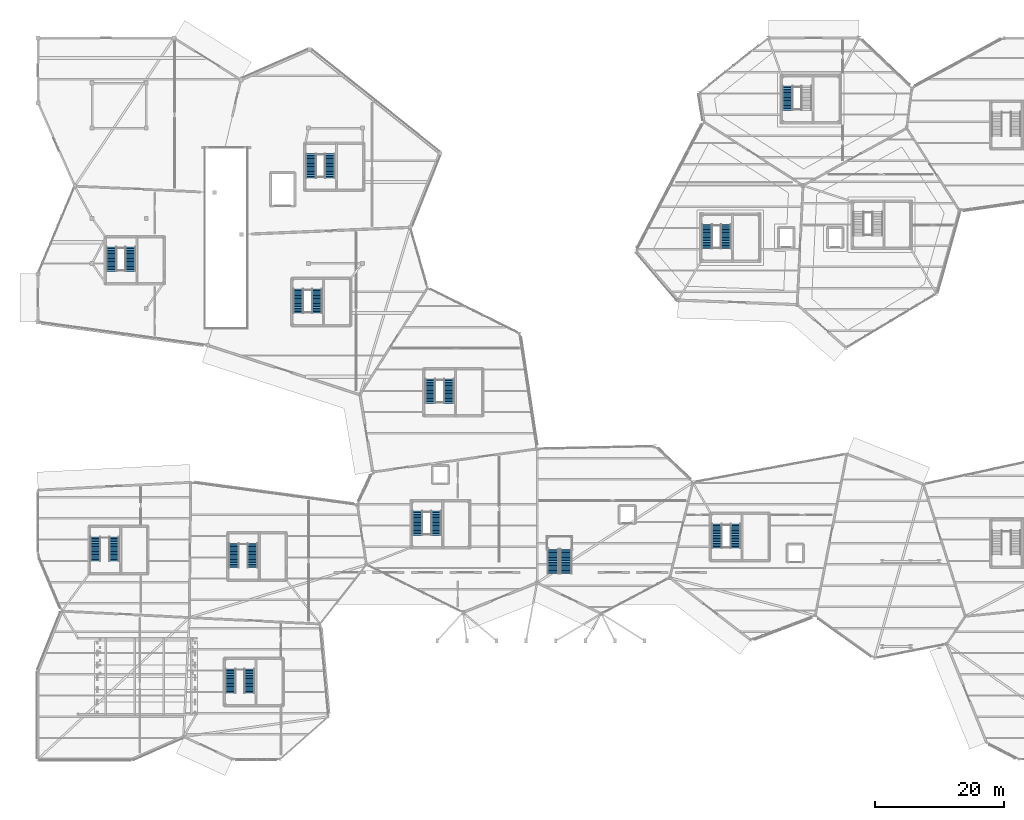
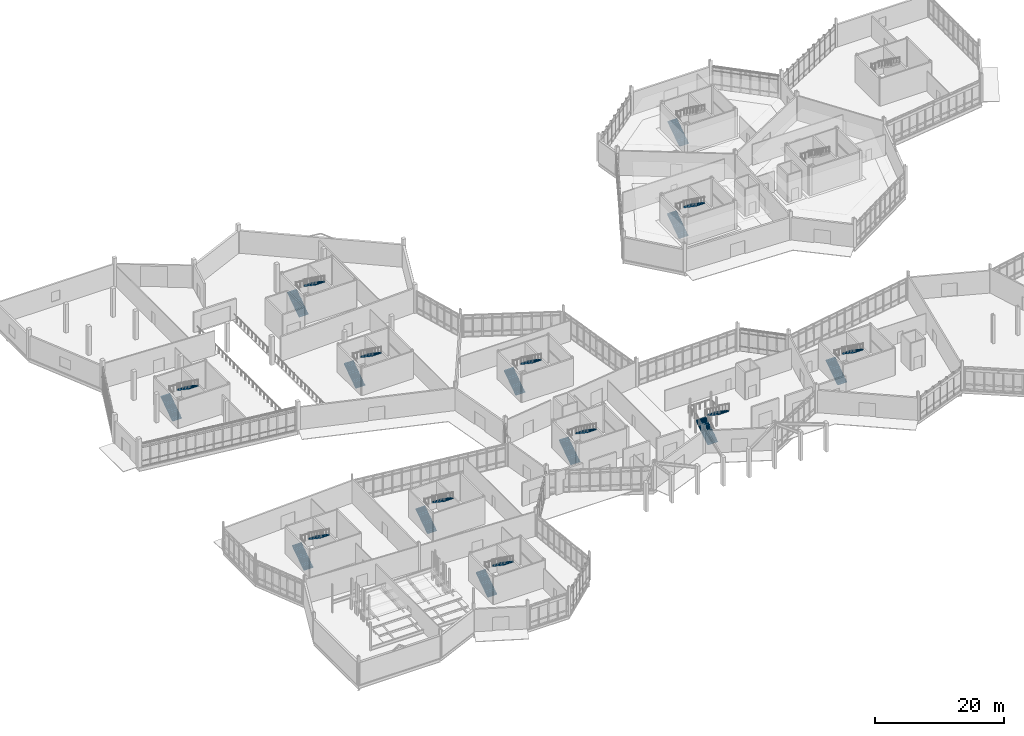
# One storey, part 101 of 113: 23 stair flights, 12 elements without a shape of their own.
"""IFC4 building model written with IfcOpenShell, lengths in metres."""

from ifc_helpers import new_model, si_unit, direction, frame, origin, place, context, subcontext, project, spatial, polyline, outline, extrude, material, type_object, element, aggregate, save


model = new_model("IFC4")

# Units and contexts
model_context = context("Model", 3, precision=1e-05, world=origin(), true_north=direction((0.0, 1.0)))
body_context = subcontext(model_context, "Body", "Model", "MODEL_VIEW")
ifc_project = project(units=[si_unit("LENGTHUNIT", "METRE"), si_unit("AREAUNIT", "SQUARE_METRE"), si_unit("VOLUMEUNIT", "CUBIC_METRE"), si_unit("PLANEANGLEUNIT", "RADIAN"), si_unit("MASSUNIT", "GRAM", prefix="KILO")], contexts=[model_context])

# Site, building, storey
site_placement = place(None, origin())
site = spatial("IfcSite", under=ifc_project, at=site_placement, CompositionType="ELEMENT")
building_placement = place(site_placement, origin())
building = spatial("IfcBuilding", under=site, at=building_placement, Name="Tameran Prism Museum", CompositionType="ELEMENT")
storey_placement = place(building_placement, origin())
storey = spatial("IfcBuildingStorey", under=building, at=storey_placement, Name="L00", CompositionType="ELEMENT", Elevation=0.0)

# Stair, stair flights
ifc_material_1 = material(Name="Concrete N40 (40 MPa)", Category="concrete")
stair_type_1 = type_object("IfcStairType", Name="ST-CORE-54", PredefinedType="HALF_TURN_STAIR", material=ifc_material_1)
stair_1_placement = place(storey_placement, origin())
stair_1 = element("IfcStair", 1, at=stair_1_placement, inside=storey, type_object=stair_type_1, Name="Fire-Isolated Stair ST-01-L00", PredefinedType="HALF_TURN_STAIR")
ifc_material_2 = material(Name="Concrete N40 (40 MPa)", Category="concrete")
stair_flight_type_1 = type_object("IfcStairFlightType", Name="SF-RC-165", PredefinedType="STRAIGHT", material=ifc_material_2)
stair_flight_1_placement = place(storey_placement, frame((103.9150390625, 79.280029296875, 0.0), z_axis=(0.0, 0.0, 1.0), x_axis=(0.0, 1.0, 0.0)))
stair_flight_1 = element("IfcStairFlight", 2, at=stair_flight_1_placement, type_object=stair_flight_type_1, Name="ST-01-L00 flight 1", NumberOfRisers=16, NumberOfTreads=15, PredefinedType="STRAIGHT", RiserHeight=0.16875, TreadLength=0.25, context=body_context, shape_type="SweptSolid", body=[
    extrude(outline(polyline([(0.0, 0.0), (0.0, 0.168701171875), (0.25, 0.168701171875), (0.25, 0.33740234375), (0.5, 0.33740234375), (0.5, 0.50634765625), (0.75, 0.50634765625), (0.75, 0.675048828125), (1.0, 0.675048828125), (1.0, 0.84375), (1.25, 0.84375), (1.25, 1.012451171875), (1.5, 1.012451171875), (1.5, 1.18115234375), (1.75, 1.18115234375), (1.75, 1.35009765625), (2.0, 1.35009765625), (2.0, 1.518798828125), (2.25, 1.518798828125), (2.25, 1.6875), (2.5, 1.6875), (2.5, 1.856201171875), (2.75, 1.856201171875), (2.75, 2.02490234375), (3.0, 2.02490234375), (3.0, 2.19384765625), (3.25, 2.19384765625), (3.25, 2.362548828125), (3.5, 2.362548828125), (3.5, 2.53125), (3.75, 2.53125), (3.75, 2.699951171875), (3.75, 2.350341796875), (0.267822265625, 0.0), (0.0, 0.0)])), frame((0.0, 0.824951171875, 0.0), z_axis=(0.0, -1.0, 0.0), x_axis=(1.0, 0.0, 0.0)), (0.0, 0.0, 1.0), 1.64990234375),
])
stair_flight_2_placement = place(storey_placement, frame((106.8349609375, 83.030029296875, 2.699951171875), z_axis=(0.0, 0.0, 1.0), x_axis=(0.0, -1.0, 0.0)))
stair_flight_2 = element("IfcStairFlight", 3, at=stair_flight_2_placement, type_object=stair_flight_type_1, Name="ST-01-L00 flight 2", NumberOfRisers=16, NumberOfTreads=15, PredefinedType="STRAIGHT", RiserHeight=0.16875, TreadLength=0.25, context=body_context, shape_type="SweptSolid", body=[
    extrude(outline(polyline([(0.0, 0.0), (0.0, 0.168701171875), (0.25, 0.168701171875), (0.25, 0.33740234375), (0.5, 0.33740234375), (0.5, 0.50634765625), (0.75, 0.50634765625), (0.75, 0.675048828125), (1.0, 0.675048828125), (1.0, 0.84375), (1.25, 0.84375), (1.25, 1.012451171875), (1.5, 1.012451171875), (1.5, 1.18115234375), (1.75, 1.18115234375), (1.75, 1.35009765625), (2.0, 1.35009765625), (2.0, 1.518798828125), (2.25, 1.518798828125), (2.25, 1.6875), (2.5, 1.6875), (2.5, 1.856201171875), (2.75, 1.856201171875), (2.75, 2.02490234375), (3.0, 2.02490234375), (3.0, 2.19384765625), (3.25, 2.19384765625), (3.25, 2.362548828125), (3.5, 2.362548828125), (3.5, 2.53125), (3.75, 2.53125), (3.75, 2.699951171875), (3.75, 2.350341796875), (0.267822265625, 0.0), (0.0, 0.0)])), frame((0.0, 0.824951171875, 0.0), z_axis=(0.0, -1.0, 0.0), x_axis=(1.0, 0.0, 0.0)), (0.0, 0.0, 1.0), 1.64990234375),
])
aggregate(stair_1, [stair_flight_1, stair_flight_2])

# Stair, stair flight
stair_2_placement = place(storey_placement, origin())
stair_2 = element("IfcStair", 4, at=stair_2_placement, inside=storey, type_object=stair_type_1, Name="Fire-Isolated Stair ST-07-L00", PredefinedType="HALF_TURN_STAIR")
stair_flight_3_placement = place(storey_placement, frame((116.4150390625, 100.780029296875, 0.0), z_axis=(0.0, 0.0, 1.0), x_axis=(0.0, 1.0, 0.0)))
stair_flight_3 = element("IfcStairFlight", 5, at=stair_flight_3_placement, type_object=stair_flight_type_1, Name="ST-07-L00 flight 1", NumberOfRisers=16, NumberOfTreads=15, PredefinedType="STRAIGHT", RiserHeight=0.16875, TreadLength=0.25, context=body_context, shape_type="SweptSolid", body=[
    extrude(outline(polyline([(0.0, 0.0), (0.0, 0.168701171875), (0.25, 0.168701171875), (0.25, 0.33740234375), (0.5, 0.33740234375), (0.5, 0.50634765625), (0.75, 0.50634765625), (0.75, 0.675048828125), (1.0, 0.675048828125), (1.0, 0.84375), (1.25, 0.84375), (1.25, 1.012451171875), (1.5, 1.012451171875), (1.5, 1.18115234375), (1.75, 1.18115234375), (1.75, 1.35009765625), (2.0, 1.35009765625), (2.0, 1.518798828125), (2.25, 1.518798828125), (2.25, 1.6875), (2.5, 1.6875), (2.5, 1.856201171875), (2.75, 1.856201171875), (2.75, 2.02490234375), (3.0, 2.02490234375), (3.0, 2.19384765625), (3.25, 2.19384765625), (3.25, 2.362548828125), (3.5, 2.362548828125), (3.5, 2.53125), (3.75, 2.53125), (3.75, 2.699951171875), (3.75, 2.350341796875), (0.267822265625, 0.0), (0.0, 0.0)])), frame((0.0, 0.824951171875, 0.0), z_axis=(0.0, -1.0, 0.0), x_axis=(1.0, 0.0, 0.0)), (0.0, 0.0, 1.0), 1.64990234375),
])
aggregate(stair_2, [stair_flight_3])

# Stair, stair flights
stair_3_placement = place(storey_placement, origin())
stair_3 = element("IfcStair", 6, at=stair_3_placement, inside=storey, type_object=stair_type_1, Name="Fire-Isolated Stair ST-03-L00", PredefinedType="HALF_TURN_STAIR")
stair_flight_4_placement = place(storey_placement, frame((58.9150390625, 34.780029296875, 0.0), z_axis=(0.0, 0.0, 1.0), x_axis=(0.0, 1.0, 0.0)))
stair_flight_4 = element("IfcStairFlight", 7, at=stair_flight_4_placement, type_object=stair_flight_type_1, Name="ST-03-L00 flight 1", NumberOfRisers=16, NumberOfTreads=15, PredefinedType="STRAIGHT", RiserHeight=0.16875, TreadLength=0.25, context=body_context, shape_type="SweptSolid", body=[
    extrude(outline(polyline([(0.0, 0.0), (0.0, 0.168701171875), (0.25, 0.168701171875), (0.25, 0.33740234375), (0.5, 0.33740234375), (0.5, 0.50634765625), (0.75, 0.50634765625), (0.75, 0.675048828125), (1.0, 0.675048828125), (1.0, 0.84375), (1.25, 0.84375), (1.25, 1.012451171875), (1.5, 1.012451171875), (1.5, 1.18115234375), (1.75, 1.18115234375), (1.75, 1.35009765625), (2.0, 1.35009765625), (2.0, 1.518798828125), (2.25, 1.518798828125), (2.25, 1.6875), (2.5, 1.6875), (2.5, 1.856201171875), (2.75, 1.856201171875), (2.75, 2.02490234375), (3.0, 2.02490234375), (3.0, 2.19384765625), (3.25, 2.19384765625), (3.25, 2.362548828125), (3.5, 2.362548828125), (3.5, 2.53125), (3.75, 2.53125), (3.75, 2.699951171875), (3.75, 2.350341796875), (0.267822265625, 0.0), (0.0, 0.0)])), frame((0.0, 0.824951171875, 0.0), z_axis=(0.0, -1.0, 0.0), x_axis=(1.0, 0.0, 0.0)), (0.0, 0.0, 1.0), 1.64990234375),
])
stair_flight_5_placement = place(storey_placement, frame((61.8349609375, 38.530029296875, 2.699951171875), z_axis=(0.0, 0.0, 1.0), x_axis=(0.0, -1.0, 0.0)))
stair_flight_5 = element("IfcStairFlight", 8, at=stair_flight_5_placement, type_object=stair_flight_type_1, Name="ST-03-L00 flight 2", NumberOfRisers=16, NumberOfTreads=15, PredefinedType="STRAIGHT", RiserHeight=0.16875, TreadLength=0.25, context=body_context, shape_type="SweptSolid", body=[
    extrude(outline(polyline([(0.0, 0.0), (0.0, 0.168701171875), (0.25, 0.168701171875), (0.25, 0.33740234375), (0.5, 0.33740234375), (0.5, 0.50634765625), (0.75, 0.50634765625), (0.75, 0.675048828125), (1.0, 0.675048828125), (1.0, 0.84375), (1.25, 0.84375), (1.25, 1.012451171875), (1.5, 1.012451171875), (1.5, 1.18115234375), (1.75, 1.18115234375), (1.75, 1.35009765625), (2.0, 1.35009765625), (2.0, 1.518798828125), (2.25, 1.518798828125), (2.25, 1.6875), (2.5, 1.6875), (2.5, 1.856201171875), (2.75, 1.856201171875), (2.75, 2.02490234375), (3.0, 2.02490234375), (3.0, 2.19384765625), (3.25, 2.19384765625), (3.25, 2.362548828125), (3.5, 2.362548828125), (3.5, 2.53125), (3.75, 2.53125), (3.75, 2.699951171875), (3.75, 2.350341796875), (0.267822265625, 0.0), (0.0, 0.0)])), frame((0.0, 0.824951171875, 0.0), z_axis=(0.0, -1.0, 0.0), x_axis=(1.0, 0.0, 0.0)), (0.0, 0.0, 1.0), 1.64990234375),
])
aggregate(stair_3, [stair_flight_4, stair_flight_5])

stair_4_placement = place(storey_placement, origin())
stair_4 = element("IfcStair", 9, at=stair_4_placement, inside=storey, type_object=stair_type_1, Name="Fire-Isolated Stair ST-08-L00", PredefinedType="HALF_TURN_STAIR")
stair_flight_6_placement = place(storey_placement, frame((60.9150390625, 55.280029296875, 0.0), z_axis=(0.0, 0.0, 1.0), x_axis=(0.0, 1.0, 0.0)))
stair_flight_6 = element("IfcStairFlight", 10, at=stair_flight_6_placement, type_object=stair_flight_type_1, Name="ST-08-L00 flight 1", NumberOfRisers=16, NumberOfTreads=15, PredefinedType="STRAIGHT", RiserHeight=0.16875, TreadLength=0.25, context=body_context, shape_type="SweptSolid", body=[
    extrude(outline(polyline([(0.0, 0.0), (0.0, 0.168701171875), (0.25, 0.168701171875), (0.25, 0.33740234375), (0.5, 0.33740234375), (0.5, 0.50634765625), (0.75, 0.50634765625), (0.75, 0.675048828125), (1.0, 0.675048828125), (1.0, 0.84375), (1.25, 0.84375), (1.25, 1.012451171875), (1.5, 1.012451171875), (1.5, 1.18115234375), (1.75, 1.18115234375), (1.75, 1.35009765625), (2.0, 1.35009765625), (2.0, 1.518798828125), (2.25, 1.518798828125), (2.25, 1.6875), (2.5, 1.6875), (2.5, 1.856201171875), (2.75, 1.856201171875), (2.75, 2.02490234375), (3.0, 2.02490234375), (3.0, 2.19384765625), (3.25, 2.19384765625), (3.25, 2.362548828125), (3.5, 2.362548828125), (3.5, 2.53125), (3.75, 2.53125), (3.75, 2.699951171875), (3.75, 2.350341796875), (0.267822265625, 0.0), (0.0, 0.0)])), frame((0.0, 0.824951171875, 0.0), z_axis=(0.0, -1.0, 0.0), x_axis=(1.0, 0.0, 0.0)), (0.0, 0.0, 1.0), 1.64990234375),
])
stair_flight_7_placement = place(storey_placement, frame((63.8349609375, 59.030029296875, 2.699951171875), z_axis=(0.0, 0.0, 1.0), x_axis=(0.0, -1.0, 0.0)))
stair_flight_7 = element("IfcStairFlight", 11, at=stair_flight_7_placement, type_object=stair_flight_type_1, Name="ST-08-L00 flight 2", NumberOfRisers=16, NumberOfTreads=15, PredefinedType="STRAIGHT", RiserHeight=0.16875, TreadLength=0.25, context=body_context, shape_type="SweptSolid", body=[
    extrude(outline(polyline([(0.0, 0.0), (0.0, 0.168701171875), (0.25, 0.168701171875), (0.25, 0.33740234375), (0.5, 0.33740234375), (0.5, 0.50634765625), (0.75, 0.50634765625), (0.75, 0.675048828125), (1.0, 0.675048828125), (1.0, 0.84375), (1.25, 0.84375), (1.25, 1.012451171875), (1.5, 1.012451171875), (1.5, 1.18115234375), (1.75, 1.18115234375), (1.75, 1.35009765625), (2.0, 1.35009765625), (2.0, 1.518798828125), (2.25, 1.518798828125), (2.25, 1.6875), (2.5, 1.6875), (2.5, 1.856201171875), (2.75, 1.856201171875), (2.75, 2.02490234375), (3.0, 2.02490234375), (3.0, 2.19384765625), (3.25, 2.19384765625), (3.25, 2.362548828125), (3.5, 2.362548828125), (3.5, 2.53125), (3.75, 2.53125), (3.75, 2.699951171875), (3.75, 2.350341796875), (0.267822265625, 0.0), (0.0, 0.0)])), frame((0.0, 0.824951171875, 0.0), z_axis=(0.0, -1.0, 0.0), x_axis=(1.0, 0.0, 0.0)), (0.0, 0.0, 1.0), 1.64990234375),
])
aggregate(stair_4, [stair_flight_6, stair_flight_7])

stair_5_placement = place(storey_placement, origin())
stair_5 = element("IfcStair", 12, at=stair_5_placement, inside=storey, type_object=stair_type_1, Name="Fire-Isolated Stair ST-04-L00", PredefinedType="HALF_TURN_STAIR")
stair_flight_8_placement = place(storey_placement, frame((105.4150390625, 32.780029296875, 0.0), z_axis=(0.0, 0.0, 1.0), x_axis=(0.0, 1.0, 0.0)))
stair_flight_8 = element("IfcStairFlight", 13, at=stair_flight_8_placement, type_object=stair_flight_type_1, Name="ST-04-L00 flight 1", NumberOfRisers=16, NumberOfTreads=15, PredefinedType="STRAIGHT", RiserHeight=0.16875, TreadLength=0.25, context=body_context, shape_type="SweptSolid", body=[
    extrude(outline(polyline([(0.0, 0.0), (0.0, 0.168701171875), (0.25, 0.168701171875), (0.25, 0.33740234375), (0.5, 0.33740234375), (0.5, 0.50634765625), (0.75, 0.50634765625), (0.75, 0.675048828125), (1.0, 0.675048828125), (1.0, 0.84375), (1.25, 0.84375), (1.25, 1.012451171875), (1.5, 1.012451171875), (1.5, 1.18115234375), (1.75, 1.18115234375), (1.75, 1.35009765625), (2.0, 1.35009765625), (2.0, 1.518798828125), (2.25, 1.518798828125), (2.25, 1.6875), (2.5, 1.6875), (2.5, 1.856201171875), (2.75, 1.856201171875), (2.75, 2.02490234375), (3.0, 2.02490234375), (3.0, 2.19384765625), (3.25, 2.19384765625), (3.25, 2.362548828125), (3.5, 2.362548828125), (3.5, 2.53125), (3.75, 2.53125), (3.75, 2.699951171875), (3.75, 2.350341796875), (0.267822265625, 0.0), (0.0, 0.0)])), frame((0.0, 0.824951171875, 0.0), z_axis=(0.0, -1.0, 0.0), x_axis=(1.0, 0.0, 0.0)), (0.0, 0.0, 1.0), 1.64990234375),
])
stair_flight_9_placement = place(storey_placement, frame((108.3349609375, 36.530029296875, 2.699951171875), z_axis=(0.0, 0.0, 1.0), x_axis=(0.0, -1.0, 0.0)))
stair_flight_9 = element("IfcStairFlight", 14, at=stair_flight_9_placement, type_object=stair_flight_type_1, Name="ST-04-L00 flight 2", NumberOfRisers=16, NumberOfTreads=15, PredefinedType="STRAIGHT", RiserHeight=0.16875, TreadLength=0.25, context=body_context, shape_type="SweptSolid", body=[
    extrude(outline(polyline([(0.0, 0.0), (0.0, 0.168701171875), (0.25, 0.168701171875), (0.25, 0.33740234375), (0.5, 0.33740234375), (0.5, 0.50634765625), (0.75, 0.50634765625), (0.75, 0.675048828125), (1.0, 0.675048828125), (1.0, 0.84375), (1.25, 0.84375), (1.25, 1.012451171875), (1.5, 1.012451171875), (1.5, 1.18115234375), (1.75, 1.18115234375), (1.75, 1.35009765625), (2.0, 1.35009765625), (2.0, 1.518798828125), (2.25, 1.518798828125), (2.25, 1.6875), (2.5, 1.6875), (2.5, 1.856201171875), (2.75, 1.856201171875), (2.75, 2.02490234375), (3.0, 2.02490234375), (3.0, 2.19384765625), (3.25, 2.19384765625), (3.25, 2.362548828125), (3.5, 2.362548828125), (3.5, 2.53125), (3.75, 2.53125), (3.75, 2.699951171875), (3.75, 2.350341796875), (0.267822265625, 0.0), (0.0, 0.0)])), frame((0.0, 0.824951171875, 0.0), z_axis=(0.0, -1.0, 0.0), x_axis=(1.0, 0.0, 0.0)), (0.0, 0.0, 1.0), 1.64990234375),
])
aggregate(stair_5, [stair_flight_8, stair_flight_9])

stair_6_placement = place(storey_placement, origin())
stair_6 = element("IfcStair", 15, at=stair_6_placement, inside=storey, type_object=stair_type_1, Name="Fire-Isolated Stair ST-05-L00", PredefinedType="HALF_TURN_STAIR")
stair_flight_10_placement = place(storey_placement, frame((40.4150390625, 69.280029296875, 0.0), z_axis=(0.0, 0.0, 1.0), x_axis=(0.0, 1.0, 0.0)))
stair_flight_10 = element("IfcStairFlight", 16, at=stair_flight_10_placement, type_object=stair_flight_type_1, Name="ST-05-L00 flight 1", NumberOfRisers=16, NumberOfTreads=15, PredefinedType="STRAIGHT", RiserHeight=0.16875, TreadLength=0.25, context=body_context, shape_type="SweptSolid", body=[
    extrude(outline(polyline([(0.0, 0.0), (0.0, 0.168701171875), (0.25, 0.168701171875), (0.25, 0.33740234375), (0.5, 0.33740234375), (0.5, 0.50634765625), (0.75, 0.50634765625), (0.75, 0.675048828125), (1.0, 0.675048828125), (1.0, 0.84375), (1.25, 0.84375), (1.25, 1.012451171875), (1.5, 1.012451171875), (1.5, 1.18115234375), (1.75, 1.18115234375), (1.75, 1.35009765625), (2.0, 1.35009765625), (2.0, 1.518798828125), (2.25, 1.518798828125), (2.25, 1.6875), (2.5, 1.6875), (2.5, 1.856201171875), (2.75, 1.856201171875), (2.75, 2.02490234375), (3.0, 2.02490234375), (3.0, 2.19384765625), (3.25, 2.19384765625), (3.25, 2.362548828125), (3.5, 2.362548828125), (3.5, 2.53125), (3.75, 2.53125), (3.75, 2.699951171875), (3.75, 2.350341796875), (0.267822265625, 0.0), (0.0, 0.0)])), frame((0.0, 0.824951171875, 0.0), z_axis=(0.0, -1.0, 0.0), x_axis=(1.0, 0.0, 0.0)), (0.0, 0.0, 1.0), 1.64990234375),
])
stair_flight_11_placement = place(storey_placement, frame((43.3349609375, 73.030029296875, 2.699951171875), z_axis=(0.0, 0.0, 1.0), x_axis=(0.0, -1.0, 0.0)))
stair_flight_11 = element("IfcStairFlight", 17, at=stair_flight_11_placement, type_object=stair_flight_type_1, Name="ST-05-L00 flight 2", NumberOfRisers=16, NumberOfTreads=15, PredefinedType="STRAIGHT", RiserHeight=0.16875, TreadLength=0.25, context=body_context, shape_type="SweptSolid", body=[
    extrude(outline(polyline([(0.0, 0.0), (0.0, 0.168701171875), (0.25, 0.168701171875), (0.25, 0.33740234375), (0.5, 0.33740234375), (0.5, 0.50634765625), (0.75, 0.50634765625), (0.75, 0.675048828125), (1.0, 0.675048828125), (1.0, 0.84375), (1.25, 0.84375), (1.25, 1.012451171875), (1.5, 1.012451171875), (1.5, 1.18115234375), (1.75, 1.18115234375), (1.75, 1.35009765625), (2.0, 1.35009765625), (2.0, 1.518798828125), (2.25, 1.518798828125), (2.25, 1.6875), (2.5, 1.6875), (2.5, 1.856201171875), (2.75, 1.856201171875), (2.75, 2.02490234375), (3.0, 2.02490234375), (3.0, 2.19384765625), (3.25, 2.19384765625), (3.25, 2.362548828125), (3.5, 2.362548828125), (3.5, 2.53125), (3.75, 2.53125), (3.75, 2.699951171875), (3.75, 2.350341796875), (0.267822265625, 0.0), (0.0, 0.0)])), frame((0.0, 0.824951171875, 0.0), z_axis=(0.0, -1.0, 0.0), x_axis=(1.0, 0.0, 0.0)), (0.0, 0.0, 1.0), 1.64990234375),
])
aggregate(stair_6, [stair_flight_10, stair_flight_11])

stair_7_placement = place(storey_placement, origin())
stair_7 = element("IfcStair", 18, at=stair_7_placement, inside=storey, type_object=stair_type_1, Name="Fire-Isolated Stair ST-06-L00", PredefinedType="HALF_TURN_STAIR")
stair_flight_12_placement = place(storey_placement, frame((29.9150390625, 10.280029296875, 0.0), z_axis=(0.0, 0.0, 1.0), x_axis=(0.0, 1.0, 0.0)))
stair_flight_12 = element("IfcStairFlight", 19, at=stair_flight_12_placement, type_object=stair_flight_type_1, Name="ST-06-L00 flight 1", NumberOfRisers=16, NumberOfTreads=15, PredefinedType="STRAIGHT", RiserHeight=0.16875, TreadLength=0.25, context=body_context, shape_type="SweptSolid", body=[
    extrude(outline(polyline([(0.0, 0.0), (0.0, 0.168701171875), (0.25, 0.168701171875), (0.25, 0.33740234375), (0.5, 0.33740234375), (0.5, 0.50634765625), (0.75, 0.50634765625), (0.75, 0.675048828125), (1.0, 0.675048828125), (1.0, 0.84375), (1.25, 0.84375), (1.25, 1.012451171875), (1.5, 1.012451171875), (1.5, 1.18115234375), (1.75, 1.18115234375), (1.75, 1.35009765625), (2.0, 1.35009765625), (2.0, 1.518798828125), (2.25, 1.518798828125), (2.25, 1.6875), (2.5, 1.6875), (2.5, 1.856201171875), (2.75, 1.856201171875), (2.75, 2.02490234375), (3.0, 2.02490234375), (3.0, 2.19384765625), (3.25, 2.19384765625), (3.25, 2.362548828125), (3.5, 2.362548828125), (3.5, 2.53125), (3.75, 2.53125), (3.75, 2.699951171875), (3.75, 2.350341796875), (0.267822265625, 0.0), (0.0, 0.0)])), frame((0.0, 0.824951171875, 0.0), z_axis=(0.0, -1.0, 0.0), x_axis=(1.0, 0.0, 0.0)), (0.0, 0.0, 1.0), 1.64990234375),
])
stair_flight_13_placement = place(storey_placement, frame((32.8349609375, 14.030029296875, 2.699951171875), z_axis=(0.0, 0.0, 1.0), x_axis=(0.0, -1.0, 0.0)))
stair_flight_13 = element("IfcStairFlight", 20, at=stair_flight_13_placement, type_object=stair_flight_type_1, Name="ST-06-L00 flight 2", NumberOfRisers=16, NumberOfTreads=15, PredefinedType="STRAIGHT", RiserHeight=0.16875, TreadLength=0.25, context=body_context, shape_type="SweptSolid", body=[
    extrude(outline(polyline([(0.0, 0.0), (0.0, 0.168701171875), (0.25, 0.168701171875), (0.25, 0.33740234375), (0.5, 0.33740234375), (0.5, 0.50634765625), (0.75, 0.50634765625), (0.75, 0.675048828125), (1.0, 0.675048828125), (1.0, 0.84375), (1.25, 0.84375), (1.25, 1.012451171875), (1.5, 1.012451171875), (1.5, 1.18115234375), (1.75, 1.18115234375), (1.75, 1.35009765625), (2.0, 1.35009765625), (2.0, 1.518798828125), (2.25, 1.518798828125), (2.25, 1.6875), (2.5, 1.6875), (2.5, 1.856201171875), (2.75, 1.856201171875), (2.75, 2.02490234375), (3.0, 2.02490234375), (3.0, 2.19384765625), (3.25, 2.19384765625), (3.25, 2.362548828125), (3.5, 2.362548828125), (3.5, 2.53125), (3.75, 2.53125), (3.75, 2.699951171875), (3.75, 2.350341796875), (0.267822265625, 0.0), (0.0, 0.0)])), frame((0.0, 0.824951171875, 0.0), z_axis=(0.0, -1.0, 0.0), x_axis=(1.0, 0.0, 0.0)), (0.0, 0.0, 1.0), 1.64990234375),
])
aggregate(stair_7, [stair_flight_12, stair_flight_13])

stair_8_placement = place(storey_placement, origin())
stair_8 = element("IfcStair", 21, at=stair_8_placement, inside=storey, type_object=stair_type_1, Name="Fire-Isolated Stair ST-09-L00", PredefinedType="HALF_TURN_STAIR")
stair_flight_14_placement = place(storey_placement, frame((11.4150390625, 75.780029296875, 0.0), z_axis=(0.0, 0.0, 1.0), x_axis=(0.0, 1.0, 0.0)))
stair_flight_14 = element("IfcStairFlight", 22, at=stair_flight_14_placement, type_object=stair_flight_type_1, Name="ST-09-L00 flight 1", NumberOfRisers=16, NumberOfTreads=15, PredefinedType="STRAIGHT", RiserHeight=0.16875, TreadLength=0.25, context=body_context, shape_type="SweptSolid", body=[
    extrude(outline(polyline([(0.0, 0.0), (0.0, 0.168701171875), (0.25, 0.168701171875), (0.25, 0.33740234375), (0.5, 0.33740234375), (0.5, 0.50634765625), (0.75, 0.50634765625), (0.75, 0.675048828125), (1.0, 0.675048828125), (1.0, 0.84375), (1.25, 0.84375), (1.25, 1.012451171875), (1.5, 1.012451171875), (1.5, 1.18115234375), (1.75, 1.18115234375), (1.75, 1.35009765625), (2.0, 1.35009765625), (2.0, 1.518798828125), (2.25, 1.518798828125), (2.25, 1.6875), (2.5, 1.6875), (2.5, 1.856201171875), (2.75, 1.856201171875), (2.75, 2.02490234375), (3.0, 2.02490234375), (3.0, 2.19384765625), (3.25, 2.19384765625), (3.25, 2.362548828125), (3.5, 2.362548828125), (3.5, 2.53125), (3.75, 2.53125), (3.75, 2.699951171875), (3.75, 2.350341796875), (0.267822265625, 0.0), (0.0, 0.0)])), frame((0.0, 0.824951171875, 0.0), z_axis=(0.0, -1.0, 0.0), x_axis=(1.0, 0.0, 0.0)), (0.0, 0.0, 1.0), 1.64990234375),
])
stair_flight_15_placement = place(storey_placement, frame((14.3349609375, 79.530029296875, 2.699951171875), z_axis=(0.0, 0.0, 1.0), x_axis=(0.0, -1.0, 0.0)))
stair_flight_15 = element("IfcStairFlight", 23, at=stair_flight_15_placement, type_object=stair_flight_type_1, Name="ST-09-L00 flight 2", NumberOfRisers=16, NumberOfTreads=15, PredefinedType="STRAIGHT", RiserHeight=0.16875, TreadLength=0.25, context=body_context, shape_type="SweptSolid", body=[
    extrude(outline(polyline([(0.0, 0.0), (0.0, 0.168701171875), (0.25, 0.168701171875), (0.25, 0.33740234375), (0.5, 0.33740234375), (0.5, 0.50634765625), (0.75, 0.50634765625), (0.75, 0.675048828125), (1.0, 0.675048828125), (1.0, 0.84375), (1.25, 0.84375), (1.25, 1.012451171875), (1.5, 1.012451171875), (1.5, 1.18115234375), (1.75, 1.18115234375), (1.75, 1.35009765625), (2.0, 1.35009765625), (2.0, 1.518798828125), (2.25, 1.518798828125), (2.25, 1.6875), (2.5, 1.6875), (2.5, 1.856201171875), (2.75, 1.856201171875), (2.75, 2.02490234375), (3.0, 2.02490234375), (3.0, 2.19384765625), (3.25, 2.19384765625), (3.25, 2.362548828125), (3.5, 2.362548828125), (3.5, 2.53125), (3.75, 2.53125), (3.75, 2.699951171875), (3.75, 2.350341796875), (0.267822265625, 0.0), (0.0, 0.0)])), frame((0.0, 0.824951171875, 0.0), z_axis=(0.0, -1.0, 0.0), x_axis=(1.0, 0.0, 0.0)), (0.0, 0.0, 1.0), 1.64990234375),
])
aggregate(stair_8, [stair_flight_14, stair_flight_15])

stair_9_placement = place(storey_placement, origin())
stair_9 = element("IfcStair", 24, at=stair_9_placement, inside=storey, type_object=stair_type_1, Name="Fire-Isolated Stair ST-10-L00", PredefinedType="HALF_TURN_STAIR")
stair_flight_16_placement = place(storey_placement, frame((8.9150390625, 30.780029296875, 0.0), z_axis=(0.0, 0.0, 1.0), x_axis=(0.0, 1.0, 0.0)))
stair_flight_16 = element("IfcStairFlight", 25, at=stair_flight_16_placement, type_object=stair_flight_type_1, Name="ST-10-L00 flight 1", NumberOfRisers=16, NumberOfTreads=15, PredefinedType="STRAIGHT", RiserHeight=0.16875, TreadLength=0.25, context=body_context, shape_type="SweptSolid", body=[
    extrude(outline(polyline([(0.0, 0.0), (0.0, 0.168701171875), (0.25, 0.168701171875), (0.25, 0.33740234375), (0.5, 0.33740234375), (0.5, 0.50634765625), (0.75, 0.50634765625), (0.75, 0.675048828125), (1.0, 0.675048828125), (1.0, 0.84375), (1.25, 0.84375), (1.25, 1.012451171875), (1.5, 1.012451171875), (1.5, 1.18115234375), (1.75, 1.18115234375), (1.75, 1.35009765625), (2.0, 1.35009765625), (2.0, 1.518798828125), (2.25, 1.518798828125), (2.25, 1.6875), (2.5, 1.6875), (2.5, 1.856201171875), (2.75, 1.856201171875), (2.75, 2.02490234375), (3.0, 2.02490234375), (3.0, 2.19384765625), (3.25, 2.19384765625), (3.25, 2.362548828125), (3.5, 2.362548828125), (3.5, 2.53125), (3.75, 2.53125), (3.75, 2.699951171875), (3.75, 2.350341796875), (0.267822265625, 0.0), (0.0, 0.0)])), frame((0.0, 0.824951171875, 0.0), z_axis=(0.0, -1.0, 0.0), x_axis=(1.0, 0.0, 0.0)), (0.0, 0.0, 1.0), 1.64990234375),
])
stair_flight_17_placement = place(storey_placement, frame((11.8349609375, 34.530029296875, 2.699951171875), z_axis=(0.0, 0.0, 1.0), x_axis=(0.0, -1.0, 0.0)))
stair_flight_17 = element("IfcStairFlight", 26, at=stair_flight_17_placement, type_object=stair_flight_type_1, Name="ST-10-L00 flight 2", NumberOfRisers=16, NumberOfTreads=15, PredefinedType="STRAIGHT", RiserHeight=0.16875, TreadLength=0.25, context=body_context, shape_type="SweptSolid", body=[
    extrude(outline(polyline([(0.0, 0.0), (0.0, 0.168701171875), (0.25, 0.168701171875), (0.25, 0.33740234375), (0.5, 0.33740234375), (0.5, 0.50634765625), (0.75, 0.50634765625), (0.75, 0.675048828125), (1.0, 0.675048828125), (1.0, 0.84375), (1.25, 0.84375), (1.25, 1.012451171875), (1.5, 1.012451171875), (1.5, 1.18115234375), (1.75, 1.18115234375), (1.75, 1.35009765625), (2.0, 1.35009765625), (2.0, 1.518798828125), (2.25, 1.518798828125), (2.25, 1.6875), (2.5, 1.6875), (2.5, 1.856201171875), (2.75, 1.856201171875), (2.75, 2.02490234375), (3.0, 2.02490234375), (3.0, 2.19384765625), (3.25, 2.19384765625), (3.25, 2.362548828125), (3.5, 2.362548828125), (3.5, 2.53125), (3.75, 2.53125), (3.75, 2.699951171875), (3.75, 2.350341796875), (0.267822265625, 0.0), (0.0, 0.0)])), frame((0.0, 0.824951171875, 0.0), z_axis=(0.0, -1.0, 0.0), x_axis=(1.0, 0.0, 0.0)), (0.0, 0.0, 1.0), 1.64990234375),
])
aggregate(stair_9, [stair_flight_16, stair_flight_17])

stair_10_placement = place(storey_placement, origin())
stair_10 = element("IfcStair", 27, at=stair_10_placement, inside=storey, type_object=stair_type_1, Name="Fire-Isolated Stair ST-12-L00", PredefinedType="HALF_TURN_STAIR")
stair_flight_18_placement = place(storey_placement, frame((30.4150390625, 29.780029296875, 0.0), z_axis=(0.0, 0.0, 1.0), x_axis=(0.0, 1.0, 0.0)))
stair_flight_18 = element("IfcStairFlight", 28, at=stair_flight_18_placement, type_object=stair_flight_type_1, Name="ST-12-L00 flight 1", NumberOfRisers=16, NumberOfTreads=15, PredefinedType="STRAIGHT", RiserHeight=0.16875, TreadLength=0.25, context=body_context, shape_type="SweptSolid", body=[
    extrude(outline(polyline([(0.0, 0.0), (0.0, 0.168701171875), (0.25, 0.168701171875), (0.25, 0.33740234375), (0.5, 0.33740234375), (0.5, 0.50634765625), (0.75, 0.50634765625), (0.75, 0.675048828125), (1.0, 0.675048828125), (1.0, 0.84375), (1.25, 0.84375), (1.25, 1.012451171875), (1.5, 1.012451171875), (1.5, 1.18115234375), (1.75, 1.18115234375), (1.75, 1.35009765625), (2.0, 1.35009765625), (2.0, 1.518798828125), (2.25, 1.518798828125), (2.25, 1.6875), (2.5, 1.6875), (2.5, 1.856201171875), (2.75, 1.856201171875), (2.75, 2.02490234375), (3.0, 2.02490234375), (3.0, 2.19384765625), (3.25, 2.19384765625), (3.25, 2.362548828125), (3.5, 2.362548828125), (3.5, 2.53125), (3.75, 2.53125), (3.75, 2.699951171875), (3.75, 2.350341796875), (0.267822265625, 0.0), (0.0, 0.0)])), frame((0.0, 0.824951171875, 0.0), z_axis=(0.0, -1.0, 0.0), x_axis=(1.0, 0.0, 0.0)), (0.0, 0.0, 1.0), 1.64990234375),
])
stair_flight_19_placement = place(storey_placement, frame((33.3349609375, 33.530029296875, 2.699951171875), z_axis=(0.0, 0.0, 1.0), x_axis=(0.0, -1.0, 0.0)))
stair_flight_19 = element("IfcStairFlight", 29, at=stair_flight_19_placement, type_object=stair_flight_type_1, Name="ST-12-L00 flight 2", NumberOfRisers=16, NumberOfTreads=15, PredefinedType="STRAIGHT", RiserHeight=0.16875, TreadLength=0.25, context=body_context, shape_type="SweptSolid", body=[
    extrude(outline(polyline([(0.0, 0.0), (0.0, 0.168701171875), (0.25, 0.168701171875), (0.25, 0.33740234375), (0.5, 0.33740234375), (0.5, 0.50634765625), (0.75, 0.50634765625), (0.75, 0.675048828125), (1.0, 0.675048828125), (1.0, 0.84375), (1.25, 0.84375), (1.25, 1.012451171875), (1.5, 1.012451171875), (1.5, 1.18115234375), (1.75, 1.18115234375), (1.75, 1.35009765625), (2.0, 1.35009765625), (2.0, 1.518798828125), (2.25, 1.518798828125), (2.25, 1.6875), (2.5, 1.6875), (2.5, 1.856201171875), (2.75, 1.856201171875), (2.75, 2.02490234375), (3.0, 2.02490234375), (3.0, 2.19384765625), (3.25, 2.19384765625), (3.25, 2.362548828125), (3.5, 2.362548828125), (3.5, 2.53125), (3.75, 2.53125), (3.75, 2.699951171875), (3.75, 2.350341796875), (0.267822265625, 0.0), (0.0, 0.0)])), frame((0.0, 0.824951171875, 0.0), z_axis=(0.0, -1.0, 0.0), x_axis=(1.0, 0.0, 0.0)), (0.0, 0.0, 1.0), 1.64990234375),
])
aggregate(stair_10, [stair_flight_18, stair_flight_19])

stair_11_placement = place(storey_placement, origin())
stair_11 = element("IfcStair", 30, at=stair_11_placement, inside=storey, type_object=stair_type_1, Name="Fire-Isolated Stair ST-14-L00", PredefinedType="HALF_TURN_STAIR")
stair_flight_20_placement = place(storey_placement, frame((42.4150390625, 90.280029296875, 0.0), z_axis=(0.0, 0.0, 1.0), x_axis=(0.0, 1.0, 0.0)))
stair_flight_20 = element("IfcStairFlight", 31, at=stair_flight_20_placement, type_object=stair_flight_type_1, Name="ST-14-L00 flight 1", NumberOfRisers=16, NumberOfTreads=15, PredefinedType="STRAIGHT", RiserHeight=0.16875, TreadLength=0.25, context=body_context, shape_type="SweptSolid", body=[
    extrude(outline(polyline([(0.0, 0.0), (0.0, 0.168701171875), (0.25, 0.168701171875), (0.25, 0.33740234375), (0.5, 0.33740234375), (0.5, 0.50634765625), (0.75, 0.50634765625), (0.75, 0.675048828125), (1.0, 0.675048828125), (1.0, 0.84375), (1.25, 0.84375), (1.25, 1.012451171875), (1.5, 1.012451171875), (1.5, 1.18115234375), (1.75, 1.18115234375), (1.75, 1.35009765625), (2.0, 1.35009765625), (2.0, 1.518798828125), (2.25, 1.518798828125), (2.25, 1.6875), (2.5, 1.6875), (2.5, 1.856201171875), (2.75, 1.856201171875), (2.75, 2.02490234375), (3.0, 2.02490234375), (3.0, 2.19384765625), (3.25, 2.19384765625), (3.25, 2.362548828125), (3.5, 2.362548828125), (3.5, 2.53125), (3.75, 2.53125), (3.75, 2.699951171875), (3.75, 2.350341796875), (0.267822265625, 0.0), (0.0, 0.0)])), frame((0.0, 0.824951171875, 0.0), z_axis=(0.0, -1.0, 0.0), x_axis=(1.0, 0.0, 0.0)), (0.0, 0.0, 1.0), 1.64990234375),
])
stair_flight_21_placement = place(storey_placement, frame((45.3349609375, 94.030029296875, 2.699951171875), z_axis=(0.0, 0.0, 1.0), x_axis=(0.0, -1.0, 0.0)))
stair_flight_21 = element("IfcStairFlight", 32, at=stair_flight_21_placement, type_object=stair_flight_type_1, Name="ST-14-L00 flight 2", NumberOfRisers=16, NumberOfTreads=15, PredefinedType="STRAIGHT", RiserHeight=0.16875, TreadLength=0.25, context=body_context, shape_type="SweptSolid", body=[
    extrude(outline(polyline([(0.0, 0.0), (0.0, 0.168701171875), (0.25, 0.168701171875), (0.25, 0.33740234375), (0.5, 0.33740234375), (0.5, 0.50634765625), (0.75, 0.50634765625), (0.75, 0.675048828125), (1.0, 0.675048828125), (1.0, 0.84375), (1.25, 0.84375), (1.25, 1.012451171875), (1.5, 1.012451171875), (1.5, 1.18115234375), (1.75, 1.18115234375), (1.75, 1.35009765625), (2.0, 1.35009765625), (2.0, 1.518798828125), (2.25, 1.518798828125), (2.25, 1.6875), (2.5, 1.6875), (2.5, 1.856201171875), (2.75, 1.856201171875), (2.75, 2.02490234375), (3.0, 2.02490234375), (3.0, 2.19384765625), (3.25, 2.19384765625), (3.25, 2.362548828125), (3.5, 2.362548828125), (3.5, 2.53125), (3.75, 2.53125), (3.75, 2.699951171875), (3.75, 2.350341796875), (0.267822265625, 0.0), (0.0, 0.0)])), frame((0.0, 0.824951171875, 0.0), z_axis=(0.0, -1.0, 0.0), x_axis=(1.0, 0.0, 0.0)), (0.0, 0.0, 1.0), 1.64990234375),
])
aggregate(stair_11, [stair_flight_20, stair_flight_21])

ifc_material_3 = material(Name="Steel Grade 350 (350 MPa)", Category="steel")
stair_type_2 = type_object("IfcStairType", Name="ST-ATR-54", PredefinedType="STRAIGHT_RUN_STAIR", material=ifc_material_3)
stair_12_placement = place(storey_placement, origin())
stair_12 = element("IfcStair", 33, at=stair_12_placement, inside=storey, type_object=stair_type_2, Name="Atrium Feature Stair ST-AT1", PredefinedType="STRAIGHT_RUN_STAIR")
ifc_material_4 = material(Name="Steel Grade 350 (350 MPa)", Category="steel")
stair_flight_type_2 = type_object("IfcStairFlightType", Name="SF-STL-180", PredefinedType="STRAIGHT", material=ifc_material_4)
stair_flight_22_placement = place(storey_placement, frame((80.0, 28.820068359375, 0.0), z_axis=(0.0, 0.0, 1.0), x_axis=(0.0, 1.0, 0.0)))
stair_flight_22 = element("IfcStairFlight", 34, at=stair_flight_22_placement, type_object=stair_flight_type_2, Name="ST-AT1 flight 1", NumberOfRisers=16, NumberOfTreads=15, PredefinedType="STRAIGHT", RiserHeight=0.16875, TreadLength=0.251333, context=body_context, shape_type="SweptSolid", body=[
    extrude(outline(polyline([(0.0, 0.0), (0.0, 0.168701171875), (0.251220703125, 0.168701171875), (0.251220703125, 0.33740234375), (0.502685546875, 0.33740234375), (0.502685546875, 0.50634765625), (0.75390625, 0.50634765625), (0.75390625, 0.675048828125), (1.00537109375, 0.675048828125), (1.00537109375, 0.84375), (1.256591796875, 0.84375), (1.256591796875, 1.012451171875), (1.508056640625, 1.012451171875), (1.508056640625, 1.18115234375), (1.75927734375, 1.18115234375), (1.75927734375, 1.35009765625), (2.0107421875, 1.35009765625), (2.0107421875, 1.518798828125), (2.261962890625, 1.518798828125), (2.261962890625, 1.6875), (2.513427734375, 1.6875), (2.513427734375, 1.856201171875), (2.7646484375, 1.856201171875), (2.7646484375, 2.02490234375), (3.01611328125, 2.02490234375), (3.01611328125, 2.19384765625), (3.267333984375, 2.19384765625), (3.267333984375, 2.362548828125), (3.5185546875, 2.362548828125), (3.5185546875, 2.53125), (3.77001953125, 2.53125), (3.77001953125, 2.699951171875), (3.77001953125, 2.3505859375), (0.268798828125, 0.0), (0.0, 0.0)])), frame((0.0, 0.89990234375, 0.0), z_axis=(0.0, -1.0, 0.0), x_axis=(1.0, 0.0, 0.0)), (0.0, 0.0, 1.0), 1.800048828125),
])
stair_flight_23_placement = place(storey_placement, frame((82.0, 32.590087890625, 2.699951171875), z_axis=(0.0, 0.0, 1.0), x_axis=(0.0, -1.0, 0.0)))
stair_flight_23 = element("IfcStairFlight", 35, at=stair_flight_23_placement, type_object=stair_flight_type_2, Name="ST-AT1 flight 2", NumberOfRisers=16, NumberOfTreads=15, PredefinedType="STRAIGHT", RiserHeight=0.16875, TreadLength=0.251333, context=body_context, shape_type="SweptSolid", body=[
    extrude(outline(polyline([(0.0, 0.0), (0.0, 0.168701171875), (0.251220703125, 0.168701171875), (0.251220703125, 0.33740234375), (0.502685546875, 0.33740234375), (0.502685546875, 0.50634765625), (0.75390625, 0.50634765625), (0.75390625, 0.675048828125), (1.00537109375, 0.675048828125), (1.00537109375, 0.84375), (1.256591796875, 0.84375), (1.256591796875, 1.012451171875), (1.508056640625, 1.012451171875), (1.508056640625, 1.18115234375), (1.75927734375, 1.18115234375), (1.75927734375, 1.35009765625), (2.0107421875, 1.35009765625), (2.0107421875, 1.518798828125), (2.261962890625, 1.518798828125), (2.261962890625, 1.6875), (2.513427734375, 1.6875), (2.513427734375, 1.856201171875), (2.7646484375, 1.856201171875), (2.7646484375, 2.02490234375), (3.01611328125, 2.02490234375), (3.01611328125, 2.19384765625), (3.267333984375, 2.19384765625), (3.267333984375, 2.362548828125), (3.5185546875, 2.362548828125), (3.5185546875, 2.53125), (3.77001953125, 2.53125), (3.77001953125, 2.699951171875), (3.77001953125, 2.3505859375), (0.268798828125, 0.0), (0.0, 0.0)])), frame((0.0, 0.89990234375, 0.0), z_axis=(0.0, -1.0, 0.0), x_axis=(1.0, 0.0, 0.0)), (0.0, 0.0, 1.0), 1.800048828125),
])
aggregate(stair_12, [stair_flight_22, stair_flight_23])

save(model, "model.ifc")
